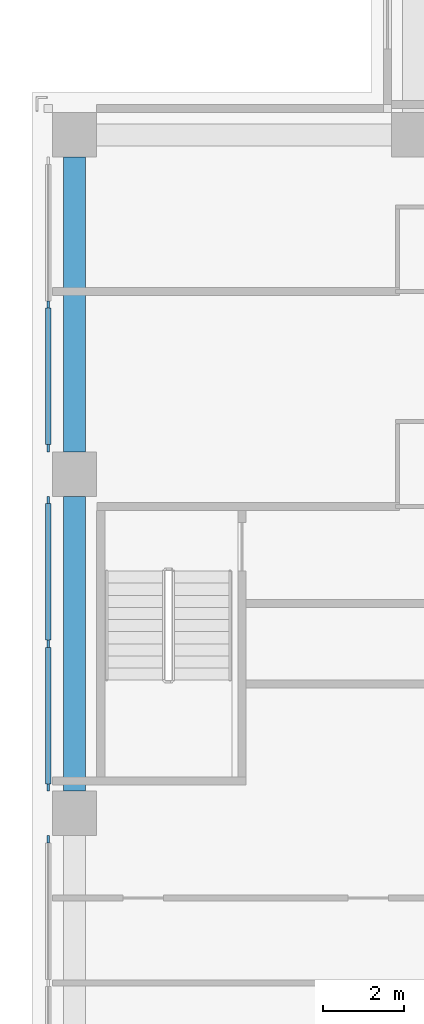
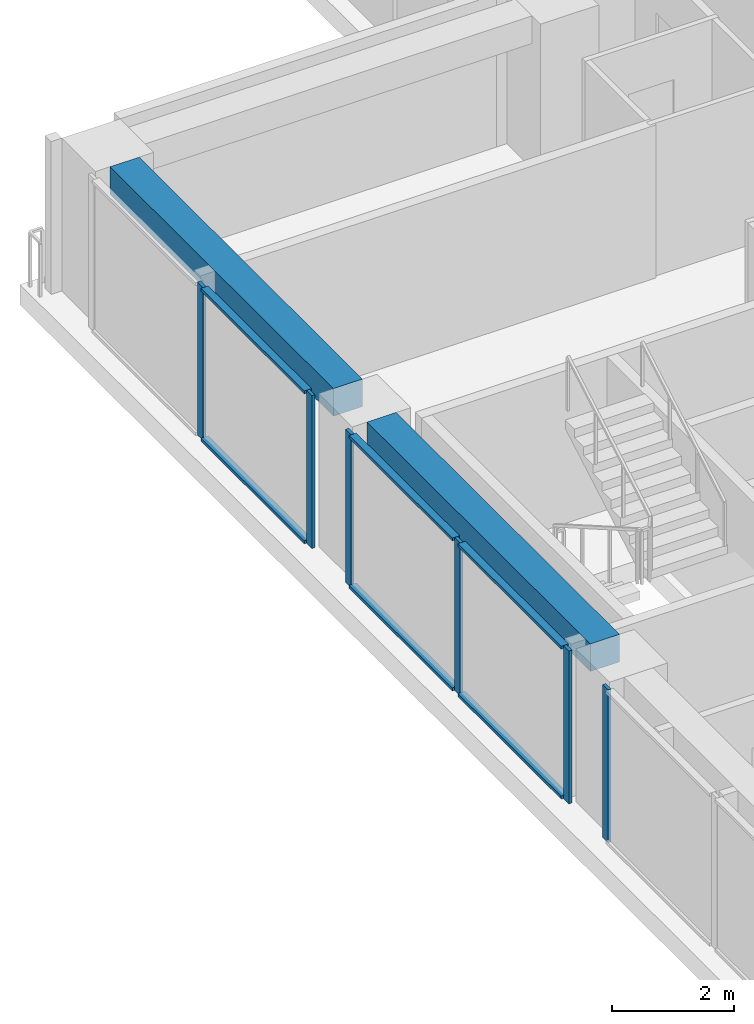
# One storey, part 4 of 16: 12 members, 2 beams, 3 elements without a shape of their own.
"""IFC4 building model written with IfcOpenShell, lengths in metres."""

from ifc_helpers import new_model, si_unit, direction, frame, origin, origin_2d, place, context, subcontext, project, spatial, rectangle, extrude, material, material_profile, profile_set, type_object, element, aggregate, save


model = new_model("IFC4")

# Units and contexts
model_context = context("Model", 3, precision=1e-05, world=origin(), true_north=direction((0.0, 1.0)))
body_context = subcontext(model_context, "Body", "Model", "MODEL_VIEW")
ifc_project = project(units=[si_unit("LENGTHUNIT", "METRE"), si_unit("AREAUNIT", "SQUARE_METRE"), si_unit("VOLUMEUNIT", "CUBIC_METRE"), si_unit("PLANEANGLEUNIT", "RADIAN"), si_unit("MASSUNIT", "GRAM", prefix="KILO")], contexts=[model_context])

# Site, building, storey
site_placement = place(None, origin())
site = spatial("IfcSite", under=ifc_project, at=site_placement, CompositionType="ELEMENT")
building_placement = place(site_placement, origin())
building = spatial("IfcBuilding", under=site, at=building_placement, Name="Vermilion Ogive Tower", CompositionType="ELEMENT")
storey_placement = place(building_placement, frame((0.0, 0.0, 160.699951171875)))
storey = spatial("IfcBuildingStorey", under=building, at=storey_placement, Name="L41", CompositionType="ELEMENT", Elevation=160.699951171875)

# Curtain wall, members
ifc_material_1 = material(Name="Low-iron laminated glazing in aluminium frame", Category="aluminium")
curtain_wall_type = type_object("IfcCurtainWallType", Name="Curtain wall CW7", PredefinedType="NOTDEFINED", material=ifc_material_1)
curtain_wall_1_placement = place(storey_placement, origin())
curtain_wall_1 = element("IfcCurtainWall", 1, at=curtain_wall_1_placement, inside=storey, type_object=curtain_wall_type, Name="Glazed skin W1", PredefinedType="NOTDEFINED")
ifc_material_2 = material(Name="Aluminium mullion", Category="aluminium")
ifc_material_profile_1 = material_profile(ifc_material_2, rectangle(XDim=0.06005859375, YDim=0.179931640625, at=origin_2d()), Name="AL 60x180")
ifc_profile_set_1 = profile_set([ifc_material_profile_1], Name="Aluminium mullion")
member_type_1 = type_object("IfcMemberType", Name="CW7 mullion 60x180", PredefinedType="MULLION", material=ifc_profile_set_1)
member_1_placement = place(storey_placement, frame((-21.64990234375, 8.39990234375, 0.0), z_axis=(0.0, 0.0, 1.0), x_axis=(1.0, 0.0, 0.0)))
member_1 = element("IfcMember", 2, at=member_1_placement, type_object=member_type_1, Name="CW7-W1 mullion 2", PredefinedType="MULLION", context=body_context, shape_type="SweptSolid", body=[
    extrude(rectangle(XDim=0.06005859375, YDim=0.179931640625, at=origin_2d()), origin(), (0.0, 0.0, 1.0), 3.050048828125),
])
member_2_placement = place(storey_placement, frame((-21.64990234375, 4.840087890625, 0.0), z_axis=(0.0, 0.0, 1.0), x_axis=(1.0, 0.0, 0.0)))
member_2 = element("IfcMember", 3, at=member_2_placement, type_object=member_type_1, Name="CW7-W1 mullion 3", PredefinedType="MULLION", context=body_context, shape_type="SweptSolid", body=[
    extrude(rectangle(XDim=0.06005859375, YDim=0.179931640625, at=origin_2d()), origin(), (0.0, 0.0, 1.0), 3.050048828125),
])

curtain_wall_2_placement = place(storey_placement, origin())
curtain_wall_2 = element("IfcCurtainWall", 4, at=curtain_wall_2_placement, inside=storey, type_object=curtain_wall_type, Name="Glazed skin W2", PredefinedType="NOTDEFINED")
member_3_placement = place(storey_placement, frame((-21.64990234375, 3.56005859375, 0.0), z_axis=(0.0, 0.0, 1.0), x_axis=(1.0, 0.0, 0.0)))
member_3 = element("IfcMember", 5, at=member_3_placement, type_object=member_type_1, Name="CW7-W2 mullion 1", PredefinedType="MULLION", context=body_context, shape_type="SweptSolid", body=[
    extrude(rectangle(XDim=0.06005859375, YDim=0.179931640625, at=origin_2d()), origin(), (0.0, 0.0, 1.0), 3.050048828125),
])
member_4_placement = place(storey_placement, frame((-21.64990234375, 0.0, 0.0), z_axis=(0.0, 0.0, 1.0), x_axis=(1.0, 0.0, 0.0)))
member_4 = element("IfcMember", 6, at=member_4_placement, type_object=member_type_1, Name="CW7-W2 mullion 2", PredefinedType="MULLION", context=body_context, shape_type="SweptSolid", body=[
    extrude(rectangle(XDim=0.06005859375, YDim=0.179931640625, at=origin_2d()), origin(), (0.0, 0.0, 1.0), 3.050048828125),
])
member_5_placement = place(storey_placement, frame((-21.64990234375, -3.56005859375, 0.0), z_axis=(0.0, 0.0, 1.0), x_axis=(1.0, 0.0, 0.0)))
member_5 = element("IfcMember", 7, at=member_5_placement, type_object=member_type_1, Name="CW7-W2 mullion 3", PredefinedType="MULLION", context=body_context, shape_type="SweptSolid", body=[
    extrude(rectangle(XDim=0.06005859375, YDim=0.179931640625, at=origin_2d()), origin(), (0.0, 0.0, 1.0), 3.050048828125),
])

# Curtain wall, member
curtain_wall_3_placement = place(storey_placement, origin())
curtain_wall_3 = element("IfcCurtainWall", 8, at=curtain_wall_3_placement, inside=storey, type_object=curtain_wall_type, Name="Glazed skin W3", PredefinedType="NOTDEFINED")
member_6_placement = place(storey_placement, frame((-21.64990234375, -4.840087890625, 0.0), z_axis=(0.0, 0.0, 1.0), x_axis=(1.0, 0.0, 0.0)))
member_6 = element("IfcMember", 9, at=member_6_placement, type_object=member_type_1, Name="CW7-W3 mullion 1", PredefinedType="MULLION", context=body_context, shape_type="SweptSolid", body=[
    extrude(rectangle(XDim=0.06005859375, YDim=0.179931640625, at=origin_2d()), origin(), (0.0, 0.0, 1.0), 3.050048828125),
])
aggregate(curtain_wall_3, [member_6])

# Member
ifc_material_3 = material(Name="Aluminium transom", Category="aluminium")
ifc_material_profile_2 = material_profile(ifc_material_3, rectangle(XDim=0.139892578125, YDim=0.06005859375, at=origin_2d()), Name="AL 60x140")
ifc_profile_set_2 = profile_set([ifc_material_profile_2], Name="Aluminium transom")
member_type_2 = type_object("IfcMemberType", Name="CW7 transom 60x140", PredefinedType="USERDEFINED", material=ifc_profile_set_2)
member_7_placement = place(storey_placement, frame((-21.64990234375, 8.31005859375, 0.030029296875), z_axis=(0.0, -1.0, 0.0), x_axis=(1.0, 0.0, 0.0)))
member_7 = element("IfcMember", 10, at=member_7_placement, type_object=member_type_2, Name="CW7-W1 transom 2.1", ObjectType="TRANSOM", PredefinedType="USERDEFINED", context=body_context, shape_type="SweptSolid", body=[
    extrude(rectangle(XDim=0.139892578125, YDim=0.06005859375, at=origin_2d()), origin(), (0.0, 0.0, 1.0), 3.380126953125),
])

member_8_placement = place(storey_placement, frame((-21.64990234375, 8.31005859375, 3.02001953125), z_axis=(0.0, -1.0, 0.0), x_axis=(1.0, 0.0, 0.0)))
member_8 = element("IfcMember", 11, at=member_8_placement, type_object=member_type_2, Name="CW7-W1 transom 2.2", ObjectType="TRANSOM", PredefinedType="USERDEFINED", context=body_context, shape_type="SweptSolid", body=[
    extrude(rectangle(XDim=0.139892578125, YDim=0.06005859375, at=origin_2d()), origin(), (0.0, 0.0, 1.0), 3.380126953125),
])

aggregate(curtain_wall_1, [member_1, member_2, member_7, member_8])

member_9_placement = place(storey_placement, frame((-21.64990234375, 3.469970703125, 0.030029296875), z_axis=(0.0, -1.0, 0.0), x_axis=(1.0, 0.0, 0.0)))
member_9 = element("IfcMember", 12, at=member_9_placement, type_object=member_type_2, Name="CW7-W2 transom 1.1", ObjectType="TRANSOM", PredefinedType="USERDEFINED", context=body_context, shape_type="SweptSolid", body=[
    extrude(rectangle(XDim=0.139892578125, YDim=0.06005859375, at=origin_2d()), origin(), (0.0, 0.0, 1.0), 3.3798828125),
])

member_10_placement = place(storey_placement, frame((-21.64990234375, 3.469970703125, 3.02001953125), z_axis=(0.0, -1.0, 0.0), x_axis=(1.0, 0.0, 0.0)))
member_10 = element("IfcMember", 13, at=member_10_placement, type_object=member_type_2, Name="CW7-W2 transom 1.2", ObjectType="TRANSOM", PredefinedType="USERDEFINED", context=body_context, shape_type="SweptSolid", body=[
    extrude(rectangle(XDim=0.139892578125, YDim=0.06005859375, at=origin_2d()), origin(), (0.0, 0.0, 1.0), 3.3798828125),
])

member_11_placement = place(storey_placement, frame((-21.64990234375, -0.090087890625, 0.030029296875), z_axis=(0.0, -1.0, 0.0), x_axis=(1.0, 0.0, 0.0)))
member_11 = element("IfcMember", 14, at=member_11_placement, type_object=member_type_2, Name="CW7-W2 transom 2.1", ObjectType="TRANSOM", PredefinedType="USERDEFINED", context=body_context, shape_type="SweptSolid", body=[
    extrude(rectangle(XDim=0.139892578125, YDim=0.06005859375, at=origin_2d()), origin(), (0.0, 0.0, 1.0), 3.3798828125),
])

member_12_placement = place(storey_placement, frame((-21.64990234375, -0.090087890625, 3.02001953125), z_axis=(0.0, -1.0, 0.0), x_axis=(1.0, 0.0, 0.0)))
member_12 = element("IfcMember", 15, at=member_12_placement, type_object=member_type_2, Name="CW7-W2 transom 2.2", ObjectType="TRANSOM", PredefinedType="USERDEFINED", context=body_context, shape_type="SweptSolid", body=[
    extrude(rectangle(XDim=0.139892578125, YDim=0.06005859375, at=origin_2d()), origin(), (0.0, 0.0, 1.0), 3.3798828125),
])

aggregate(curtain_wall_2, [member_3, member_4, member_5, member_9, member_10, member_11, member_12])

# Beams
ifc_material_4 = material(Name="Concrete B45", Category="concrete")
ifc_material_profile_3 = material_profile(ifc_material_4, rectangle(XDim=0.550048828125, YDim=0.550048828125, at=origin_2d()), Name="550 x 550")
ifc_profile_set_3 = profile_set([ifc_material_profile_3], Name="Concrete B45")
beam_type = type_object("IfcBeamType", Name="Edge beam 550 x 550 B45", PredefinedType="BEAM", material=ifc_profile_set_3)
beam_1_placement = place(storey_placement, frame((-21.0, 12.050048828125, 2.775146484375), z_axis=(0.0, -1.0, 0.0), x_axis=(1.0, 0.0, 0.0)))
element("IfcBeam", 16, at=beam_1_placement, inside=storey, type_object=beam_type, Name="L41-EB-13", PredefinedType="BEAM", context=body_context, shape_type="SweptSolid", body=[
    extrude(rectangle(XDim=0.550048828125, YDim=0.550048828125, at=origin_2d()), origin(), (0.0, 0.0, 1.0), 7.300048828125),
])
beam_2_placement = place(storey_placement, frame((-21.0, 3.64990234375, 2.775146484375), z_axis=(0.0, -1.0, 0.0), x_axis=(1.0, 0.0, 0.0)))
element("IfcBeam", 17, at=beam_2_placement, inside=storey, type_object=beam_type, Name="L41-EB-14", PredefinedType="BEAM", context=body_context, shape_type="SweptSolid", body=[
    extrude(rectangle(XDim=0.550048828125, YDim=0.550048828125, at=origin_2d()), origin(), (0.0, 0.0, 1.0), 7.2998046875),
])

save(model, "model.ifc")
